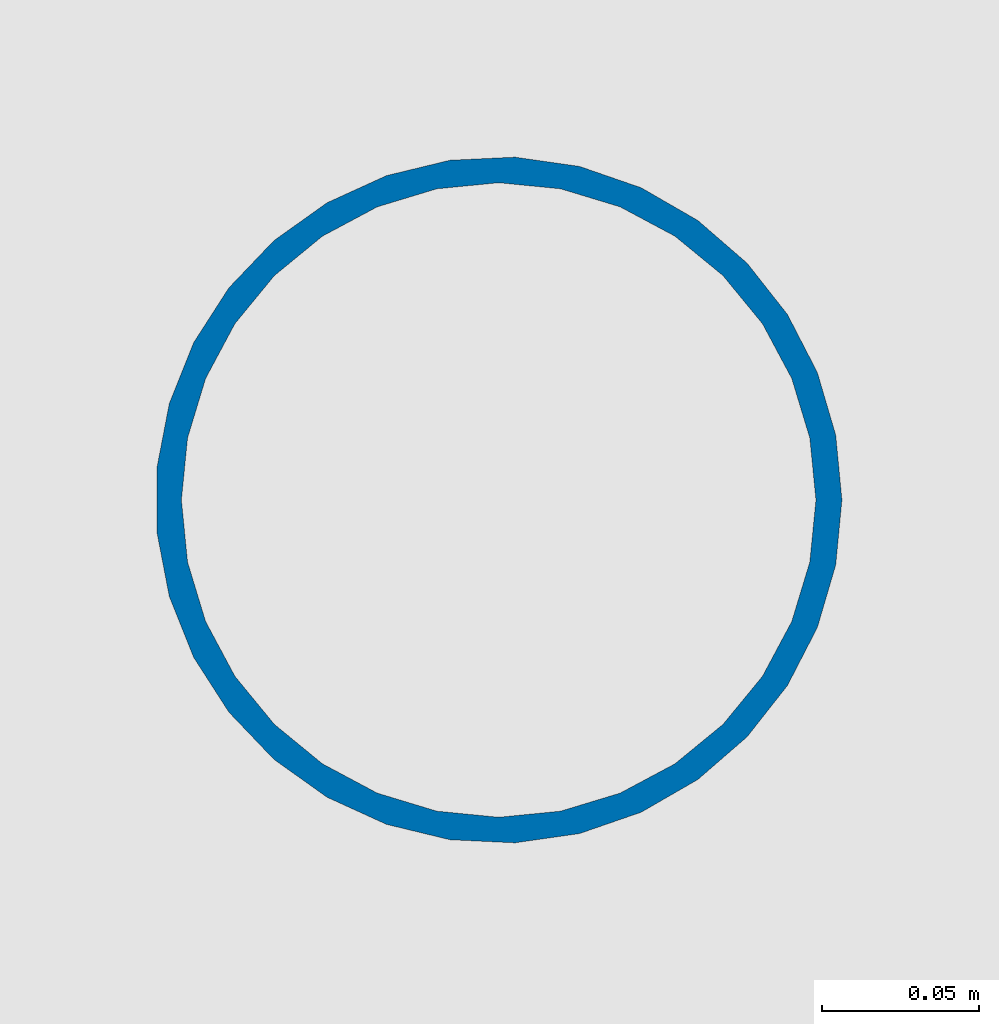
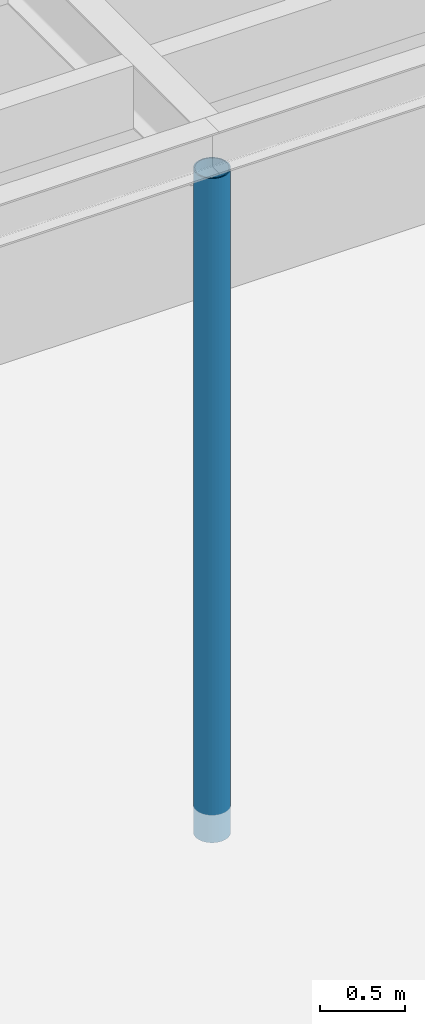
# One storey, part 2 of 63: 1 column.
"""IFC4 building model written with IfcOpenShell, lengths in metres."""

from ifc_helpers import new_model, si_unit, direction, frame, origin, origin_2d, place, context, subcontext, project, spatial, hollow_circle, extrude, material, material_profile, profile_set, type_object, element, save


model = new_model("IFC4")

# Units and contexts
model_context = context("Model", 3, precision=1e-05, world=origin(), true_north=direction((0.0, 1.0)))
body_context = subcontext(model_context, "Body", "Model", "MODEL_VIEW")
ifc_project = project(units=[si_unit("LENGTHUNIT", "METRE"), si_unit("AREAUNIT", "SQUARE_METRE"), si_unit("VOLUMEUNIT", "CUBIC_METRE"), si_unit("PLANEANGLEUNIT", "RADIAN"), si_unit("MASSUNIT", "GRAM", prefix="KILO")], contexts=[model_context])

# Site, building, storey
site_placement = place(None, origin())
site = spatial("IfcSite", under=ifc_project, at=site_placement, CompositionType="ELEMENT")
building_placement = place(site_placement, origin())
building = spatial("IfcBuilding", under=site, at=building_placement, Name="Halyard Row Museum", CompositionType="ELEMENT")
storey_placement = place(building_placement, origin())
storey = spatial("IfcBuildingStorey", under=building, at=storey_placement, Name="L00", CompositionType="ELEMENT", Elevation=0.0)

# Column
ifc_material = material(Name="Steel Grade C350L0", Category="steel")
ifc_material_profile = material_profile(ifc_material, hollow_circle(Radius=0.109619140625, WallThickness=0.00830078125, at=origin_2d()), Name="219.1x8.2CHS")
ifc_profile_set = profile_set([ifc_material_profile], Name="Steel Grade C350L0")
column_type = type_object("IfcColumnType", Name="Canopy column 219.1x8.2CHS", PredefinedType="COLUMN", material=ifc_profile_set)
column_placement = place(storey_placement, frame((31.5, 13.5, -0.199951171875), z_axis=(0.0, 0.0, 1.0), x_axis=(1.0, 0.0, 0.0)))
element("IfcColumn", 1, at=column_placement, inside=storey, type_object=column_type, Name="Canopy column 31.5", PredefinedType="COLUMN", context=body_context, shape_type="SweptSolid", body=[
    extrude(hollow_circle(Radius=0.109619140625, WallThickness=0.00830078125, at=origin_2d()), origin(), (0.0, 0.0, 1.0), 4.74267578125),
])

save(model, "model.ifc")
